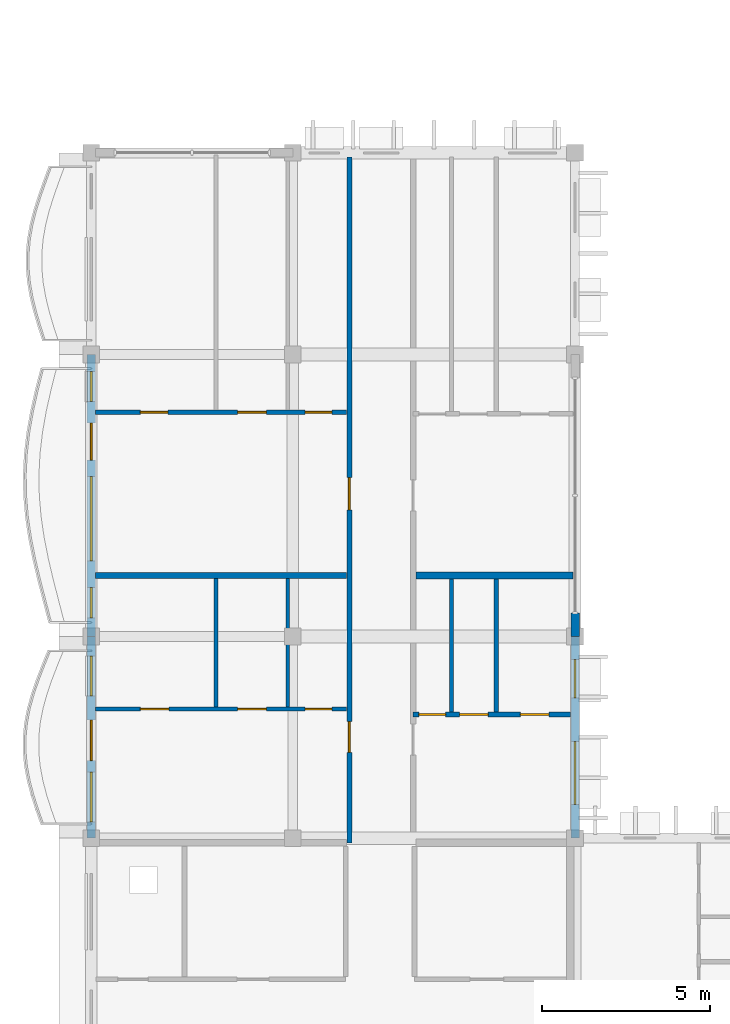
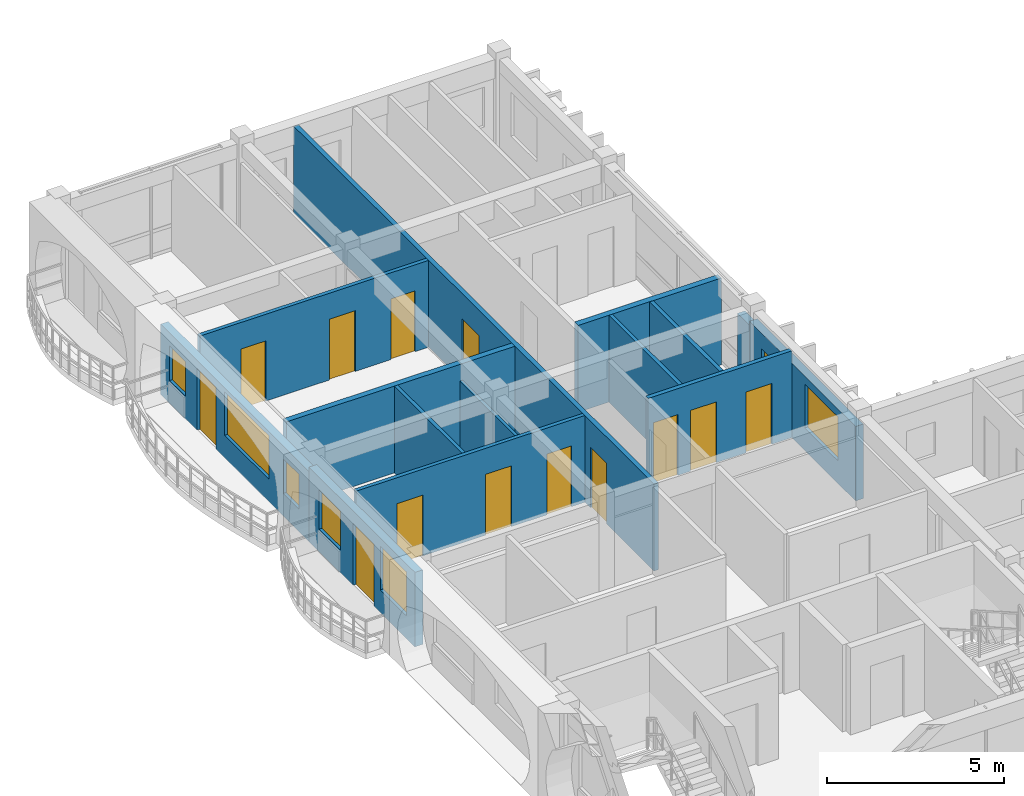
# One storey, part 22 of 54: 14 walls, 13 doors, 7 windows, 20 openings.
"""IFC4 building model written with IfcOpenShell, lengths in metres."""

from ifc_helpers import new_model, si_unit, direction, frame, frame_2d, origin, place, context, subcontext, project, spatial, rectangle, extrude, material, layer, layer_set, type_object, element, fill, save


model = new_model("IFC4")

# Units and contexts
model_context = context("Model", 3, precision=1e-05, world=origin(), true_north=direction((0.0, 1.0)))
body_context = subcontext(model_context, "Body", "Model", "MODEL_VIEW")
ifc_project = project(units=[si_unit("LENGTHUNIT", "METRE"), si_unit("AREAUNIT", "SQUARE_METRE"), si_unit("VOLUMEUNIT", "CUBIC_METRE"), si_unit("PLANEANGLEUNIT", "RADIAN"), si_unit("MASSUNIT", "GRAM", prefix="KILO"), si_unit("THERMODYNAMICTEMPERATUREUNIT", "KELVIN")], contexts=[model_context])

# Site, building, storey
site_placement = place(None, origin())
site = spatial("IfcSite", under=ifc_project, at=site_placement, CompositionType="ELEMENT")
building_placement = place(site_placement, origin())
building = spatial("IfcBuilding", under=site, at=building_placement, Name="Thalorik Housing Commons", CompositionType="ELEMENT")
storey_placement = place(building_placement, frame((0.0, 0.0, 31.199951171875)))
storey = spatial("IfcBuildingStorey", under=building, at=storey_placement, Name="L09", CompositionType="ELEMENT", Elevation=31.199951171875)

# Wall, openings, doors
ifc_material_1 = material(Name="Masonry fire-rated corridor wall", Category="masonry")
ifc_layer_1 = layer(ifc_material_1, 0.14990234375, Name="Masonry fire-rated corridor wall", Category="masonry")
ifc_layer_set_1 = layer_set([ifc_layer_1], Name="Masonry fire-rated corridor wall")
wall_type_1 = type_object("IfcWallType", Name="ARC-WAL-CORR-150", PredefinedType="PARTITIONING", material=ifc_layer_set_1)
wall_1_placement = place(storey_placement, frame((16.080078125, 22.659912109375, 0.0), z_axis=(0.0, 0.0, 1.0), x_axis=(0.0, 1.0, 0.0)))
wall_1 = element("IfcWall", 1, at=wall_1_placement, inside=storey, type_object=wall_type_1, Name="L09 Block C W Corridor Wall 1", PredefinedType="PARTITIONING", context=body_context, shape_type="SweptSolid", body=[
    extrude(rectangle(XDim=20.41064453125, YDim=0.14990234375, at=frame_2d((10.205322265625, 0.0))), origin(), (0.0, 0.0, 1.0), 3.0),
])
opening_1_placement = place(wall_1_placement, frame((2.69140625, 0.0, 0.0)))
opening_1 = element("IfcOpeningElement", 2, at=opening_1_placement, cuts=wall_1, Name="Opening ID-1934", PredefinedType="OPENING", context=body_context, shape_type="SweptSolid", body=[
    extrude(rectangle(XDim=0.919921875, YDim=2.10009765625, at=frame_2d((0.4599609375, 1.050048828125))), frame((0.0, 0.0849609375, 0.0), z_axis=(0.0, -1.0, 0.0), x_axis=(1.0, 0.0, 0.0)), (0.0, 0.0, 1.0), 0.169921875),
])
opening_2_placement = place(wall_1_placement, frame((9.909912109375, 0.0, 0.0)))
opening_2 = element("IfcOpeningElement", 3, at=opening_2_placement, cuts=wall_1, Name="Opening ID-1935", PredefinedType="OPENING", context=body_context, shape_type="SweptSolid", body=[
    extrude(rectangle(XDim=0.9599609375, YDim=2.1201171875, at=frame_2d((0.47998046875, 1.06005859375))), frame((0.0, 0.0849609375, 0.0), z_axis=(0.0, -1.0, 0.0), x_axis=(1.0, 0.0, 0.0)), (0.0, 0.0, 1.0), 0.169921875),
])
ifc_material_2 = material(Name="Solid core hardwood timber", Category="wood")
door_type_1 = type_object("IfcDoorType", Name="ARC-DR-FD30-920", OperationType="NOTDEFINED", PredefinedType="DOOR", material=ifc_material_2)
door_1_placement = place(opening_1_placement, origin())
door_1 = element("IfcDoor", 4, at=door_1_placement, inside=storey, type_object=door_type_1, Name="L09 Flat CW-1A Entrance Door", OperationType="SINGLE_SWING_LEFT", OverallHeight=2.10009765625, OverallWidth=0.919921875, PredefinedType="DOOR", context=body_context, shape_type="SweptSolid", body=[
    extrude(rectangle(XDim=0.919921875, YDim=2.10009765625, at=frame_2d((0.4599609375, 1.050048828125))), frame((0.0, 0.02490234375, 0.0), z_axis=(0.0, -1.0, 0.0), x_axis=(1.0, 0.0, 0.0)), (0.0, 0.0, 1.0), 0.050048828125),
])
fill(opening_1, door_1)
door_type_2 = type_object("IfcDoorType", Name="ARC-DR-FD30-960", OperationType="NOTDEFINED", PredefinedType="DOOR", material=ifc_material_2)
door_2_placement = place(opening_2_placement, origin())
door_2 = element("IfcDoor", 5, at=door_2_placement, inside=storey, type_object=door_type_2, Name="L09 Flat CW-2A Entrance Door", OperationType="SINGLE_SWING_RIGHT", OverallHeight=2.1201171875, OverallWidth=0.9599609375, PredefinedType="DOOR", context=body_context, shape_type="SweptSolid", body=[
    extrude(rectangle(XDim=0.9599609375, YDim=2.1201171875, at=frame_2d((0.47998046875, 1.06005859375))), frame((0.0, 0.02490234375, 0.0), z_axis=(0.0, -1.0, 0.0), x_axis=(1.0, 0.0, 0.0)), (0.0, 0.0, 1.0), 0.050048828125),
])
fill(opening_2, door_2)

# Wall, openings, windows
ifc_material_3 = material(Name="White precast concrete C40/50", Category="concrete")
ifc_layer_2 = layer(ifc_material_3, 0.2548828125, Name="White precast concrete C40/50", Category="concrete")
ifc_layer_set_2 = layer_set([ifc_layer_2], Name="White precast concrete C40/50")
wall_type_2 = type_object("IfcWallType", Name="ARC-WAL-EXT-255", PredefinedType="STANDARD", material=ifc_layer_set_2)
wall_2_placement = place(storey_placement, frame((22.800048828125, 22.800048828125, 0.0), z_axis=(0.0, 0.0, 1.0), x_axis=(0.0, 1.0, 0.0)))
wall_2 = element("IfcWall", 6, at=wall_2_placement, inside=storey, type_object=wall_type_2, Name="L09 Exterior Wall WAL-EXT-L09-C-1065", PredefinedType="STANDARD", context=body_context, shape_type="SweptSolid", body=[
    extrude(rectangle(XDim=6.0, YDim=0.2548828125, at=frame_2d((3.0, 0.0))), origin(), (0.0, 0.0, 1.0), 2.574951171875),
])
opening_3_placement = place(wall_2_placement, frame((0.995361328125, 0.0, 0.780029296875)))
opening_3 = element("IfcOpeningElement", 7, at=opening_3_placement, cuts=wall_2, Name="Opening W-59", PredefinedType="OPENING", context=body_context, shape_type="SweptSolid", body=[
    extrude(rectangle(XDim=1.8798828125, YDim=1.52001953125, at=frame_2d((0.93994140625, 0.760009765625))), frame((0.0, 0.137451171875, 0.0), z_axis=(0.0, -1.0, 0.0), x_axis=(1.0, 0.0, 0.0)), (0.0, 0.0, 1.0), 0.27490234375),
])
opening_4_placement = place(wall_2_placement, frame((4.17041015625, 0.0, 0.780029296875)))
opening_4 = element("IfcOpeningElement", 8, at=opening_4_placement, cuts=wall_2, Name="Opening W-45", PredefinedType="OPENING", context=body_context, shape_type="SweptSolid", body=[
    extrude(rectangle(XDim=1.14990234375, YDim=1.25, at=frame_2d((0.574951171875, 0.625))), frame((0.0, 0.137451171875, 0.0), z_axis=(0.0, -1.0, 0.0), x_axis=(1.0, 0.0, 0.0)), (0.0, 0.0, 1.0), 0.27490234375),
])
ifc_material_4 = material(Name="Anodised aluminium and solar-control low-E glass", Category="aluminium")
window_type_1 = type_object("IfcWindowType", Name="ARC-WIN-45", PartitioningType="SINGLE_PANEL", PredefinedType="WINDOW", material=ifc_material_4)
window_1_placement = place(opening_4_placement, origin())
window_1 = element("IfcWindow", 9, at=window_1_placement, inside=storey, type_object=window_type_1, Name="L09 Facade Window 1969", OverallHeight=1.25, OverallWidth=1.14990234375, PartitioningType="SINGLE_PANEL", PredefinedType="WINDOW", context=body_context, shape_type="SweptSolid", body=[
    extrude(rectangle(XDim=1.14990234375, YDim=1.25, at=frame_2d((0.574951171875, 0.625))), frame((0.0, 0.030029296875, 0.0), z_axis=(0.0, -1.0, 0.0), x_axis=(1.0, 0.0, 0.0)), (0.0, 0.0, 1.0), 0.06005859375),
])
fill(opening_4, window_1)
window_type_2 = type_object("IfcWindowType", Name="ARC-WIN-59", PartitioningType="DOUBLE_PANEL_VERTICAL", PredefinedType="WINDOW", material=ifc_material_4)
window_2_placement = place(opening_3_placement, origin())
window_2 = element("IfcWindow", 10, at=window_2_placement, inside=storey, type_object=window_type_2, Name="L09 Facade Window 1968", OverallHeight=1.52001953125, OverallWidth=1.8798828125, PartitioningType="DOUBLE_PANEL_VERTICAL", PredefinedType="WINDOW", context=body_context, shape_type="SweptSolid", body=[
    extrude(rectangle(XDim=1.8798828125, YDim=1.52001953125, at=frame_2d((0.93994140625, 0.760009765625))), frame((0.0, 0.030029296875, 0.0), z_axis=(0.0, -1.0, 0.0), x_axis=(1.0, 0.0, 0.0)), (0.0, 0.0, 1.0), 0.06005859375),
])
fill(opening_3, window_2)

# Wall
wall_3_placement = place(storey_placement, frame((22.800048828125, 28.800048828125, 0.0), z_axis=(0.0, 0.0, 1.0), x_axis=(0.0, 1.0, 0.0)))
element("IfcWall", 11, at=wall_3_placement, inside=storey, type_object=wall_type_2, Name="L09 Exterior Wall WAL-PIERL-L09-C-1066", PredefinedType="STANDARD", context=body_context, shape_type="SweptSolid", body=[
    extrude(rectangle(XDim=0.699951171875, YDim=0.2548828125, at=frame_2d((0.35009765625, 0.0))), origin(), (0.0, 0.0, 1.0), 2.425048828125),
])

# Wall, openings, door, windows
wall_4_placement = place(storey_placement, frame((8.39990234375, 37.199951171875, 0.0), z_axis=(0.0, 0.0, 1.0), x_axis=(0.0, -1.0, 0.0)))
wall_4 = element("IfcWall", 12, at=wall_4_placement, inside=storey, type_object=wall_type_2, Name="L09 Exterior Wall WAL-EXT-L09-C-1071", PredefinedType="STANDARD", context=body_context, shape_type="SweptSolid", body=[
    extrude(rectangle(XDim=8.39990234375, YDim=0.2548828125, at=frame_2d((4.199951171875, 0.0))), origin(), (0.0, 0.0, 1.0), 2.425048828125),
])
opening_5_placement = place(wall_4_placement, frame((2.050048828125, 0.0, 0.0)))
opening_5 = element("IfcOpeningElement", 13, at=opening_5_placement, cuts=wall_4, Name="Opening ED-0359", PredefinedType="OPENING", context=body_context, shape_type="SweptSolid", body=[
    extrude(rectangle(XDim=1.10009765625, YDim=2.14990234375, at=frame_2d((0.550048828125, 1.074951171875))), frame((0.0, 0.137451171875, 0.0), z_axis=(0.0, -1.0, 0.0), x_axis=(1.0, 0.0, 0.0)), (0.0, 0.0, 1.0), 0.27490234375),
])
opening_6_placement = place(wall_4_placement, frame((0.5048828125, 0.0, 0.780029296875)))
opening_6 = element("IfcOpeningElement", 14, at=opening_6_placement, cuts=wall_4, Name="Opening W-01", PredefinedType="OPENING", context=body_context, shape_type="SweptSolid", body=[
    extrude(rectangle(XDim=0.89990234375, YDim=1.199951171875, at=frame_2d((0.449951171875, 0.60009765625))), frame((0.0, 0.137451171875, 0.0), z_axis=(0.0, -1.0, 0.0), x_axis=(1.0, 0.0, 0.0)), (0.0, 0.0, 1.0), 0.27490234375),
])
opening_7_placement = place(wall_4_placement, frame((3.6298828125, 0.0, 0.780029296875)))
opening_7 = element("IfcOpeningElement", 15, at=opening_7_placement, cuts=wall_4, Name="Opening W-72", PredefinedType="OPENING", context=body_context, shape_type="SweptSolid", body=[
    extrude(rectangle(XDim=2.52001953125, YDim=1.5, at=frame_2d((1.260009765625, 0.75))), frame((0.0, 0.137451171875, 0.0), z_axis=(0.0, -1.0, 0.0), x_axis=(1.0, 0.0, 0.0)), (0.0, 0.0, 1.0), 0.27490234375),
])
opening_8_placement = place(wall_4_placement, frame((6.945068359375, 0.0, 0.780029296875)))
opening_8 = element("IfcOpeningElement", 16, at=opening_8_placement, cuts=wall_4, Name="Opening W-01", PredefinedType="OPENING", context=body_context, shape_type="SweptSolid", body=[
    extrude(rectangle(XDim=0.89990234375, YDim=1.199951171875, at=frame_2d((0.449951171875, 0.60009765625))), frame((0.0, 0.137451171875, 0.0), z_axis=(0.0, -1.0, 0.0), x_axis=(1.0, 0.0, 0.0)), (0.0, 0.0, 1.0), 0.27490234375),
])
ifc_material_5 = material(Name="Anodised aluminium and laminated safety glass", Category="aluminium")
door_type_3 = type_object("IfcDoorType", Name="ARC-DR-BAL-1100", OperationType="NOTDEFINED", PredefinedType="DOOR", material=ifc_material_5)
door_3_placement = place(opening_5_placement, frame((1.10009765625, 0.0, 0.0), z_axis=(0.0, 0.0, 1.0), x_axis=(-1.0, 0.0, 0.0)))
door_3 = element("IfcDoor", 17, at=door_3_placement, inside=storey, type_object=door_type_3, Name="L09 Block C Balcony Glazed Door", OperationType="SINGLE_SWING_RIGHT", OverallHeight=2.14990234375, OverallWidth=1.10009765625, PredefinedType="DOOR", context=body_context, shape_type="SweptSolid", body=[
    extrude(rectangle(XDim=1.10009765625, YDim=2.14990234375, at=frame_2d((0.550048828125, 1.074951171875))), frame((0.0, 0.02490234375, 0.0), z_axis=(0.0, -1.0, 0.0), x_axis=(1.0, 0.0, 0.0)), (0.0, 0.0, 1.0), 0.050048828125),
])
fill(opening_5, door_3)
window_type_3 = type_object("IfcWindowType", Name="ARC-WIN-01", PartitioningType="SINGLE_PANEL", PredefinedType="WINDOW", material=ifc_material_4)
window_3_placement = place(opening_6_placement, origin())
window_3 = element("IfcWindow", 18, at=window_3_placement, inside=storey, type_object=window_type_3, Name="L09 Facade Window 1976", OverallHeight=1.199951171875, OverallWidth=0.89990234375, PartitioningType="SINGLE_PANEL", PredefinedType="WINDOW", context=body_context, shape_type="SweptSolid", body=[
    extrude(rectangle(XDim=0.89990234375, YDim=1.199951171875, at=frame_2d((0.449951171875, 0.60009765625))), frame((0.0, 0.030029296875, 0.0), z_axis=(0.0, -1.0, 0.0), x_axis=(1.0, 0.0, 0.0)), (0.0, 0.0, 1.0), 0.06005859375),
])
fill(opening_6, window_3)
window_4_placement = place(opening_8_placement, origin())
window_4 = element("IfcWindow", 19, at=window_4_placement, inside=storey, type_object=window_type_3, Name="L09 Facade Window 1978", OverallHeight=1.199951171875, OverallWidth=0.89990234375, PartitioningType="SINGLE_PANEL", PredefinedType="WINDOW", context=body_context, shape_type="SweptSolid", body=[
    extrude(rectangle(XDim=0.89990234375, YDim=1.199951171875, at=frame_2d((0.449951171875, 0.60009765625))), frame((0.0, 0.030029296875, 0.0), z_axis=(0.0, -1.0, 0.0), x_axis=(1.0, 0.0, 0.0)), (0.0, 0.0, 1.0), 0.06005859375),
])
fill(opening_8, window_4)
window_type_4 = type_object("IfcWindowType", Name="ARC-WIN-72", PartitioningType="DOUBLE_PANEL_VERTICAL", PredefinedType="WINDOW", material=ifc_material_4)
window_5_placement = place(opening_7_placement, origin())
window_5 = element("IfcWindow", 20, at=window_5_placement, inside=storey, type_object=window_type_4, Name="L09 Facade Window 1977", OverallHeight=1.5, OverallWidth=2.52001953125, PartitioningType="DOUBLE_PANEL_VERTICAL", PredefinedType="WINDOW", context=body_context, shape_type="SweptSolid", body=[
    extrude(rectangle(XDim=2.52001953125, YDim=1.5, at=frame_2d((1.260009765625, 0.75))), frame((0.0, 0.030029296875, 0.0), z_axis=(0.0, -1.0, 0.0), x_axis=(1.0, 0.0, 0.0)), (0.0, 0.0, 1.0), 0.06005859375),
])
fill(opening_7, window_5)

wall_5_placement = place(storey_placement, frame((8.39990234375, 28.800048828125, 0.0), z_axis=(0.0, 0.0, 1.0), x_axis=(0.0, -1.0, 0.0)))
wall_5 = element("IfcWall", 21, at=wall_5_placement, inside=storey, type_object=wall_type_2, Name="L09 Exterior Wall WAL-EXT-L09-C-1072", PredefinedType="STANDARD", context=body_context, shape_type="SweptSolid", body=[
    extrude(rectangle(XDim=6.0, YDim=0.2548828125, at=frame_2d((3.0, 0.0))), origin(), (0.0, 0.0, 1.0), 2.574951171875),
])
opening_9_placement = place(wall_5_placement, frame((2.489990234375, 0.0, 0.0)))
opening_9 = element("IfcOpeningElement", 22, at=opening_9_placement, cuts=wall_5, Name="Opening ED-0360", PredefinedType="OPENING", context=body_context, shape_type="SweptSolid", body=[
    extrude(rectangle(XDim=1.199951171875, YDim=2.14990234375, at=frame_2d((0.60009765625, 1.074951171875))), frame((0.0, 0.137451171875, 0.0), z_axis=(0.0, -1.0, 0.0), x_axis=(1.0, 0.0, 0.0)), (0.0, 0.0, 1.0), 0.27490234375),
])
opening_10_placement = place(wall_5_placement, frame((0.574951171875, 0.0, 0.780029296875)))
opening_10 = element("IfcOpeningElement", 23, at=opening_10_placement, cuts=wall_5, Name="Opening W-04", PredefinedType="OPENING", context=body_context, shape_type="SweptSolid", body=[
    extrude(rectangle(XDim=1.199951171875, YDim=1.35009765625, at=frame_2d((0.60009765625, 0.675048828125))), frame((0.0, 0.137451171875, 0.0), z_axis=(0.0, -1.0, 0.0), x_axis=(1.0, 0.0, 0.0)), (0.0, 0.0, 1.0), 0.27490234375),
])
opening_11_placement = place(wall_5_placement, frame((4.034912109375, 0.0, 0.780029296875)))
opening_11 = element("IfcOpeningElement", 24, at=opening_11_placement, cuts=wall_5, Name="Opening W-51", PredefinedType="OPENING", context=body_context, shape_type="SweptSolid", body=[
    extrude(rectangle(XDim=1.47998046875, YDim=1.52001953125, at=frame_2d((0.739990234375, 0.760009765625))), frame((0.0, 0.137451171875, 0.0), z_axis=(0.0, -1.0, 0.0), x_axis=(1.0, 0.0, 0.0)), (0.0, 0.0, 1.0), 0.27490234375),
])
door_type_4 = type_object("IfcDoorType", Name="ARC-DR-BAL-1200", OperationType="NOTDEFINED", PredefinedType="DOOR", material=ifc_material_5)
door_4_placement = place(opening_9_placement, frame((1.199951171875, 0.0, 0.0), z_axis=(0.0, 0.0, 1.0), x_axis=(-1.0, 0.0, 0.0)))
door_4 = element("IfcDoor", 25, at=door_4_placement, inside=storey, type_object=door_type_4, Name="L09 Block C Balcony Glazed Door", OperationType="SINGLE_SWING_LEFT", OverallHeight=2.14990234375, OverallWidth=1.199951171875, PredefinedType="DOOR", context=body_context, shape_type="SweptSolid", body=[
    extrude(rectangle(XDim=1.199951171875, YDim=2.14990234375, at=frame_2d((0.60009765625, 1.074951171875))), frame((0.0, 0.02490234375, 0.0), z_axis=(0.0, -1.0, 0.0), x_axis=(1.0, 0.0, 0.0)), (0.0, 0.0, 1.0), 0.050048828125),
])
fill(opening_9, door_4)
window_type_5 = type_object("IfcWindowType", Name="ARC-WIN-04", PartitioningType="SINGLE_PANEL", PredefinedType="WINDOW", material=ifc_material_4)
window_6_placement = place(opening_10_placement, origin())
window_6 = element("IfcWindow", 26, at=window_6_placement, inside=storey, type_object=window_type_5, Name="L09 Facade Window 1979", OverallHeight=1.35009765625, OverallWidth=1.199951171875, PartitioningType="SINGLE_PANEL", PredefinedType="WINDOW", context=body_context, shape_type="SweptSolid", body=[
    extrude(rectangle(XDim=1.199951171875, YDim=1.35009765625, at=frame_2d((0.60009765625, 0.675048828125))), frame((0.0, 0.030029296875, 0.0), z_axis=(0.0, -1.0, 0.0), x_axis=(1.0, 0.0, 0.0)), (0.0, 0.0, 1.0), 0.06005859375),
])
fill(opening_10, window_6)
window_type_6 = type_object("IfcWindowType", Name="ARC-WIN-51", PartitioningType="SINGLE_PANEL", PredefinedType="WINDOW", material=ifc_material_4)
window_7_placement = place(opening_11_placement, origin())
window_7 = element("IfcWindow", 27, at=window_7_placement, inside=storey, type_object=window_type_6, Name="L09 Facade Window 1980", OverallHeight=1.52001953125, OverallWidth=1.47998046875, PartitioningType="SINGLE_PANEL", PredefinedType="WINDOW", context=body_context, shape_type="SweptSolid", body=[
    extrude(rectangle(XDim=1.47998046875, YDim=1.52001953125, at=frame_2d((0.739990234375, 0.760009765625))), frame((0.0, 0.030029296875, 0.0), z_axis=(0.0, -1.0, 0.0), x_axis=(1.0, 0.0, 0.0)), (0.0, 0.0, 1.0), 0.06005859375),
])
fill(opening_11, window_7)

# Walls
ifc_material_6 = material(Name="Gypsum light stud partition", Category="masonry")
ifc_layer_3 = layer(ifc_material_6, 0.10009765625, Name="Gypsum light stud partition", Category="masonry")
ifc_layer_set_3 = layer_set([ifc_layer_3], Name="Gypsum light stud partition")
wall_type_3 = type_object("IfcWallType", Name="ARC-WAL-PART-100", PredefinedType="PARTITIONING", material=ifc_layer_set_3)
wall_6_placement = place(storey_placement, frame((14.251220703125, 26.70458984375, 0.0), z_axis=(0.0, 0.0, 1.0), x_axis=(0.0, 1.0, 0.0)))
element("IfcWall", 28, at=wall_6_placement, inside=storey, type_object=wall_type_3, Name="L09 Unit 1 Wet Wall", PredefinedType="PARTITIONING", context=body_context, shape_type="SweptSolid", body=[
    extrude(rectangle(XDim=3.82080078125, YDim=0.10009765625, at=frame_2d((1.910400390625, 0.0))), origin(), (0.0, 0.0, 1.0), 2.425048828125),
])
ifc_material_7 = material(Name="Gypsum moisture-resistant partition", Category="masonry")
ifc_layer_4 = layer(ifc_material_7, 0.114990234375, Name="Gypsum moisture-resistant partition", Category="masonry")
ifc_layer_set_4 = layer_set([ifc_layer_4], Name="Gypsum moisture-resistant partition")
wall_type_4 = type_object("IfcWallType", Name="ARC-WAL-PART-115", PredefinedType="PARTITIONING", material=ifc_layer_set_4)
wall_7_placement = place(storey_placement, frame((12.11767578125, 26.70458984375, 0.0), z_axis=(0.0, 0.0, 1.0), x_axis=(0.0, 1.0, 0.0)))
element("IfcWall", 29, at=wall_7_placement, inside=storey, type_object=wall_type_4, Name="L09 Unit 1 Bedroom Partition", PredefinedType="PARTITIONING", context=body_context, shape_type="SweptSolid", body=[
    extrude(rectangle(XDim=3.82080078125, YDim=0.114990234375, at=frame_2d((1.910400390625, 0.0))), origin(), (0.0, 0.0, 1.0), 3.0),
])
wall_8_placement = place(storey_placement, frame((19.122314453125, 26.552734375, 0.0), z_axis=(0.0, 0.0, 1.0), x_axis=(0.0, 1.0, 0.0)))
element("IfcWall", 30, at=wall_8_placement, inside=storey, type_object=wall_type_4, Name="L09 Unit 1B Wet Wall", PredefinedType="PARTITIONING", context=body_context, shape_type="SweptSolid", body=[
    extrude(rectangle(XDim=3.96533203125, YDim=0.114990234375, at=frame_2d((1.982666015625, 0.0))), origin(), (0.0, 0.0, 1.0), 3.0),
])

# Wall, openings, doors
ifc_material_8 = material(Name="Gypsum acoustic stud partition", Category="masonry")
ifc_layer_5 = layer(ifc_material_8, 0.125, Name="Gypsum acoustic stud partition", Category="masonry")
ifc_layer_set_5 = layer_set([ifc_layer_5], Name="Gypsum acoustic stud partition")
wall_type_5 = type_object("IfcWallType", Name="ARC-WAL-PART-125", PredefinedType="PARTITIONING", material=ifc_layer_set_5)
wall_9_placement = place(storey_placement, frame((8.529541015625, 26.639892578125, 0.0), z_axis=(0.0, 0.0, 1.0), x_axis=(1.0, 0.0, 0.0)))
wall_9 = element("IfcWall", 31, at=wall_9_placement, inside=storey, type_object=wall_type_5, Name="L09 Unit 1 Spine Partition", PredefinedType="PARTITIONING", context=body_context, shape_type="SweptSolid", body=[
    extrude(rectangle(XDim=7.473388671875, YDim=0.125, at=frame_2d((3.73681640625, 0.0))), origin(), (0.0, 0.0, 1.0), 3.0),
])
opening_12_placement = place(wall_9_placement, frame((1.334228515625, 0.0, 0.0)))
opening_12 = element("IfcOpeningElement", 32, at=opening_12_placement, cuts=wall_9, Name="Opening ID-1922", PredefinedType="OPENING", context=body_context, shape_type="SweptSolid", body=[
    extrude(rectangle(XDim=0.85009765625, YDim=2.10009765625, at=frame_2d((0.425048828125, 1.050048828125))), frame((0.0, 0.072509765625, 0.0), z_axis=(0.0, -1.0, 0.0), x_axis=(1.0, 0.0, 0.0)), (0.0, 0.0, 1.0), 0.14501953125),
])
opening_13_placement = place(wall_9_placement, frame((4.22998046875, 0.0, 0.0)))
opening_13 = element("IfcOpeningElement", 33, at=opening_13_placement, cuts=wall_9, Name="Opening ID-1923", PredefinedType="OPENING", context=body_context, shape_type="SweptSolid", body=[
    extrude(rectangle(XDim=0.85009765625, YDim=2.10009765625, at=frame_2d((0.425048828125, 1.050048828125))), frame((0.0, 0.072509765625, 0.0), z_axis=(0.0, -1.0, 0.0), x_axis=(1.0, 0.0, 0.0)), (0.0, 0.0, 1.0), 0.14501953125),
])
opening_14_placement = place(wall_9_placement, frame((6.236083984375, 0.0, 0.0)))
opening_14 = element("IfcOpeningElement", 34, at=opening_14_placement, cuts=wall_9, Name="Opening ID-1924", PredefinedType="OPENING", context=body_context, shape_type="SweptSolid", body=[
    extrude(rectangle(XDim=0.800048828125, YDim=2.10009765625, at=frame_2d((0.39990234375, 1.050048828125))), frame((0.0, 0.072509765625, 0.0), z_axis=(0.0, -1.0, 0.0), x_axis=(1.0, 0.0, 0.0)), (0.0, 0.0, 1.0), 0.14501953125),
])
ifc_material_9 = material(Name="Moisture-resistant timber", Category="wood")
door_type_5 = type_object("IfcDoorType", Name="ARC-DR-INT-800", OperationType="NOTDEFINED", PredefinedType="DOOR", material=ifc_material_9)
door_5_placement = place(opening_14_placement, origin())
door_5 = element("IfcDoor", 35, at=door_5_placement, inside=storey, type_object=door_type_5, Name="L09 Accessible Bathroom Door", OperationType="SINGLE_SWING_LEFT", OverallHeight=2.10009765625, OverallWidth=0.800048828125, PredefinedType="DOOR", context=body_context, shape_type="SweptSolid", body=[
    extrude(rectangle(XDim=0.800048828125, YDim=2.10009765625, at=frame_2d((0.39990234375, 1.050048828125))), frame((0.0, 0.02490234375, 0.0), z_axis=(0.0, -1.0, 0.0), x_axis=(1.0, 0.0, 0.0)), (0.0, 0.0, 1.0), 0.050048828125),
])
fill(opening_14, door_5)
ifc_material_10 = material(Name="Engineered oak timber", Category="wood")
door_type_6 = type_object("IfcDoorType", Name="ARC-DR-INT-850", OperationType="NOTDEFINED", PredefinedType="DOOR", material=ifc_material_10)
door_6_placement = place(opening_12_placement, origin())
door_6 = element("IfcDoor", 36, at=door_6_placement, inside=storey, type_object=door_type_6, Name="L09 Master Bedroom Door", OperationType="SINGLE_SWING_LEFT", OverallHeight=2.10009765625, OverallWidth=0.85009765625, PredefinedType="DOOR", context=body_context, shape_type="SweptSolid", body=[
    extrude(rectangle(XDim=0.85009765625, YDim=2.10009765625, at=frame_2d((0.425048828125, 1.050048828125))), frame((0.0, 0.02490234375, 0.0), z_axis=(0.0, -1.0, 0.0), x_axis=(1.0, 0.0, 0.0)), (0.0, 0.0, 1.0), 0.050048828125),
])
fill(opening_12, door_6)
door_7_placement = place(opening_13_placement, origin())
door_7 = element("IfcDoor", 37, at=door_7_placement, inside=storey, type_object=door_type_6, Name="L09 Eat-In Kitchen Door", OperationType="SINGLE_SWING_RIGHT", OverallHeight=2.10009765625, OverallWidth=0.85009765625, PredefinedType="DOOR", context=body_context, shape_type="SweptSolid", body=[
    extrude(rectangle(XDim=0.85009765625, YDim=2.10009765625, at=frame_2d((0.425048828125, 1.050048828125))), frame((0.0, 0.02490234375, 0.0), z_axis=(0.0, -1.0, 0.0), x_axis=(1.0, 0.0, 0.0)), (0.0, 0.0, 1.0), 0.050048828125),
])
fill(opening_13, door_7)

# Wall
wall_10_placement = place(storey_placement, frame((20.455078125, 26.552734375, 0.0), z_axis=(0.0, 0.0, 1.0), x_axis=(0.0, 1.0, 0.0)))
element("IfcWall", 38, at=wall_10_placement, inside=storey, type_object=wall_type_5, Name="L09 Unit 1B Bedroom Partition", PredefinedType="PARTITIONING", context=body_context, shape_type="SweptSolid", body=[
    extrude(rectangle(XDim=3.96533203125, YDim=0.125, at=frame_2d((1.982666015625, 0.0))), origin(), (0.0, 0.0, 1.0), 3.0),
])

# Wall, openings, doors
wall_11_placement = place(storey_placement, frame((8.529541015625, 35.47998046875, 0.0), z_axis=(0.0, 0.0, 1.0), x_axis=(1.0, 0.0, 0.0)))
wall_11 = element("IfcWall", 39, at=wall_11_placement, inside=storey, type_object=wall_type_5, Name="L09 Unit 2 Spine Partition", PredefinedType="PARTITIONING", context=body_context, shape_type="SweptSolid", body=[
    extrude(rectangle(XDim=7.473388671875, YDim=0.125, at=frame_2d((3.73681640625, 0.0))), origin(), (0.0, 0.0, 1.0), 3.0),
])
opening_15_placement = place(wall_11_placement, frame((1.334228515625, 0.0, 0.0)))
opening_15 = element("IfcOpeningElement", 40, at=opening_15_placement, cuts=wall_11, Name="Opening ID-1928", PredefinedType="OPENING", context=body_context, shape_type="SweptSolid", body=[
    extrude(rectangle(XDim=0.820068359375, YDim=2.080078125, at=frame_2d((0.41015625, 1.0400390625))), frame((0.0, 0.072509765625, 0.0), z_axis=(0.0, -1.0, 0.0), x_axis=(1.0, 0.0, 0.0)), (0.0, 0.0, 1.0), 0.14501953125),
])
opening_16_placement = place(wall_11_placement, frame((4.22998046875, 0.0, 0.0)))
opening_16 = element("IfcOpeningElement", 41, at=opening_16_placement, cuts=wall_11, Name="Opening ID-1929", PredefinedType="OPENING", context=body_context, shape_type="SweptSolid", body=[
    extrude(rectangle(XDim=0.85009765625, YDim=2.10009765625, at=frame_2d((0.425048828125, 1.050048828125))), frame((0.0, 0.072509765625, 0.0), z_axis=(0.0, -1.0, 0.0), x_axis=(1.0, 0.0, 0.0)), (0.0, 0.0, 1.0), 0.14501953125),
])
opening_17_placement = place(wall_11_placement, frame((6.236083984375, 0.0, 0.0)))
opening_17 = element("IfcOpeningElement", 42, at=opening_17_placement, cuts=wall_11, Name="Opening ID-1930", PredefinedType="OPENING", context=body_context, shape_type="SweptSolid", body=[
    extrude(rectangle(XDim=0.800048828125, YDim=2.10009765625, at=frame_2d((0.39990234375, 1.050048828125))), frame((0.0, 0.072509765625, 0.0), z_axis=(0.0, -1.0, 0.0), x_axis=(1.0, 0.0, 0.0)), (0.0, 0.0, 1.0), 0.14501953125),
])
door_8_placement = place(opening_17_placement, origin())
door_8 = element("IfcDoor", 43, at=door_8_placement, inside=storey, type_object=door_type_5, Name="L09 Flat Bathroom Door", OperationType="SINGLE_SWING_LEFT", OverallHeight=2.10009765625, OverallWidth=0.800048828125, PredefinedType="DOOR", context=body_context, shape_type="SweptSolid", body=[
    extrude(rectangle(XDim=0.800048828125, YDim=2.10009765625, at=frame_2d((0.39990234375, 1.050048828125))), frame((0.0, 0.02490234375, 0.0), z_axis=(0.0, -1.0, 0.0), x_axis=(1.0, 0.0, 0.0)), (0.0, 0.0, 1.0), 0.050048828125),
])
fill(opening_17, door_8)
door_type_7 = type_object("IfcDoorType", Name="ARC-DR-INT-820", OperationType="NOTDEFINED", PredefinedType="DOOR", material=ifc_material_10)
door_9_placement = place(opening_15_placement, origin())
door_9 = element("IfcDoor", 44, at=door_9_placement, inside=storey, type_object=door_type_7, Name="L09 Double Bedroom Door", OperationType="SINGLE_SWING_LEFT", OverallHeight=2.080078125, OverallWidth=0.820068359375, PredefinedType="DOOR", context=body_context, shape_type="SweptSolid", body=[
    extrude(rectangle(XDim=0.820068359375, YDim=2.080078125, at=frame_2d((0.41015625, 1.0400390625))), frame((0.0, 0.02490234375, 0.0), z_axis=(0.0, -1.0, 0.0), x_axis=(1.0, 0.0, 0.0)), (0.0, 0.0, 1.0), 0.050048828125),
])
fill(opening_15, door_9)
door_10_placement = place(opening_16_placement, origin())
door_10 = element("IfcDoor", 45, at=door_10_placement, inside=storey, type_object=door_type_6, Name="L09 Galley Kitchen Door", OperationType="SINGLE_SWING_RIGHT", OverallHeight=2.10009765625, OverallWidth=0.85009765625, PredefinedType="DOOR", context=body_context, shape_type="SweptSolid", body=[
    extrude(rectangle(XDim=0.85009765625, YDim=2.10009765625, at=frame_2d((0.425048828125, 1.050048828125))), frame((0.0, 0.02490234375, 0.0), z_axis=(0.0, -1.0, 0.0), x_axis=(1.0, 0.0, 0.0)), (0.0, 0.0, 1.0), 0.050048828125),
])
fill(opening_16, door_10)

ifc_material_11 = material(Name="Ceramic masonry partition wall", Category="masonry")
ifc_layer_6 = layer(ifc_material_11, 0.139892578125, Name="Ceramic masonry partition wall", Category="masonry")
ifc_layer_set_6 = layer_set([ifc_layer_6], Name="Ceramic masonry partition wall")
wall_type_6 = type_object("IfcWallType", Name="ARC-WAL-PART-140", PredefinedType="PARTITIONING", material=ifc_layer_set_6)
wall_12_placement = place(storey_placement, frame((17.97998046875, 26.480712890625, 0.0), z_axis=(0.0, 0.0, 1.0), x_axis=(1.0, 0.0, 0.0)))
wall_12 = element("IfcWall", 46, at=wall_12_placement, inside=storey, type_object=wall_type_6, Name="L09 Unit 1B Spine Partition", PredefinedType="PARTITIONING", context=body_context, shape_type="SweptSolid", body=[
    extrude(rectangle(XDim=4.6904296875, YDim=0.139892578125, at=frame_2d((2.34521484375, 0.0))), origin(), (0.0, 0.0, 1.0), 3.0),
])
opening_18_placement = place(wall_12_placement, frame((0.171142578125, 0.0, 0.0)))
opening_18 = element("IfcOpeningElement", 47, at=opening_18_placement, cuts=wall_12, Name="Opening ID-1925", PredefinedType="OPENING", context=body_context, shape_type="SweptSolid", body=[
    extrude(rectangle(XDim=0.800048828125, YDim=2.10009765625, at=frame_2d((0.39990234375, 1.050048828125))), frame((0.0, 0.080078125, 0.0), z_axis=(0.0, -1.0, 0.0), x_axis=(1.0, 0.0, 0.0)), (0.0, 0.0, 1.0), 0.159912109375),
])
opening_19_placement = place(wall_12_placement, frame((1.3837890625, 0.0, 0.0)))
opening_19 = element("IfcOpeningElement", 48, at=opening_19_placement, cuts=wall_12, Name="Opening ID-1926", PredefinedType="OPENING", context=body_context, shape_type="SweptSolid", body=[
    extrude(rectangle(XDim=0.85009765625, YDim=2.10009765625, at=frame_2d((0.425048828125, 1.050048828125))), frame((0.0, 0.080078125, 0.0), z_axis=(0.0, -1.0, 0.0), x_axis=(1.0, 0.0, 0.0)), (0.0, 0.0, 1.0), 0.159912109375),
])
opening_20_placement = place(wall_12_placement, frame((3.192626953125, 0.0, 0.0)))
opening_20 = element("IfcOpeningElement", 49, at=opening_20_placement, cuts=wall_12, Name="Opening ID-1927", PredefinedType="OPENING", context=body_context, shape_type="SweptSolid", body=[
    extrude(rectangle(XDim=0.85009765625, YDim=2.10009765625, at=frame_2d((0.425048828125, 1.050048828125))), frame((0.0, 0.080078125, 0.0), z_axis=(0.0, -1.0, 0.0), x_axis=(1.0, 0.0, 0.0)), (0.0, 0.0, 1.0), 0.159912109375),
])
door_11_placement = place(opening_18_placement, origin())
door_11 = element("IfcDoor", 50, at=door_11_placement, inside=storey, type_object=door_type_5, Name="L09 Accessible Bathroom Door", OperationType="SINGLE_SWING_RIGHT", OverallHeight=2.10009765625, OverallWidth=0.800048828125, PredefinedType="DOOR", context=body_context, shape_type="SweptSolid", body=[
    extrude(rectangle(XDim=0.800048828125, YDim=2.10009765625, at=frame_2d((0.39990234375, 1.050048828125))), frame((0.0, 0.02490234375, 0.0), z_axis=(0.0, -1.0, 0.0), x_axis=(1.0, 0.0, 0.0)), (0.0, 0.0, 1.0), 0.050048828125),
])
fill(opening_18, door_11)
door_12_placement = place(opening_19_placement, origin())
door_12 = element("IfcDoor", 51, at=door_12_placement, inside=storey, type_object=door_type_6, Name="L09 Eat-In Kitchen Door", OperationType="SINGLE_SWING_LEFT", OverallHeight=2.10009765625, OverallWidth=0.85009765625, PredefinedType="DOOR", context=body_context, shape_type="SweptSolid", body=[
    extrude(rectangle(XDim=0.85009765625, YDim=2.10009765625, at=frame_2d((0.425048828125, 1.050048828125))), frame((0.0, 0.02490234375, 0.0), z_axis=(0.0, -1.0, 0.0), x_axis=(1.0, 0.0, 0.0)), (0.0, 0.0, 1.0), 0.050048828125),
])
fill(opening_19, door_12)
door_13_placement = place(opening_20_placement, origin())
door_13 = element("IfcDoor", 52, at=door_13_placement, inside=storey, type_object=door_type_6, Name="L09 Double Bedroom Door", OperationType="SINGLE_SWING_RIGHT", OverallHeight=2.10009765625, OverallWidth=0.85009765625, PredefinedType="DOOR", context=body_context, shape_type="SweptSolid", body=[
    extrude(rectangle(XDim=0.85009765625, YDim=2.10009765625, at=frame_2d((0.425048828125, 1.050048828125))), frame((0.0, 0.02490234375, 0.0), z_axis=(0.0, -1.0, 0.0), x_axis=(1.0, 0.0, 0.0)), (0.0, 0.0, 1.0), 0.050048828125),
])
fill(opening_20, door_13)

# Walls
ifc_material_12 = material(Name="Masonry acoustic blockwork wall", Category="masonry")
ifc_layer_7 = layer(ifc_material_12, 0.18505859375, Name="Masonry acoustic blockwork wall", Category="masonry")
ifc_layer_set_7 = layer_set([ifc_layer_7], Name="Masonry acoustic blockwork wall")
wall_type_7 = type_object("IfcWallType", Name="ARC-WAL-PARTY-185", PredefinedType="PARTITIONING", material=ifc_layer_set_7)
wall_13_placement = place(storey_placement, frame((8.529541015625, 30.6201171875, 0.0), z_axis=(0.0, 0.0, 1.0), x_axis=(1.0, 0.0, 0.0)))
element("IfcWall", 53, at=wall_13_placement, inside=storey, type_object=wall_type_7, Name="L09 Inter-Tenancy Wall 1A", PredefinedType="PARTITIONING", context=body_context, shape_type="SweptSolid", body=[
    extrude(rectangle(XDim=7.473388671875, YDim=0.18505859375, at=frame_2d((3.73681640625, 0.0))), origin(), (0.0, 0.0, 1.0), 3.0),
])
ifc_material_13 = material(Name="Precast concrete C40/50 acoustic wall", Category="concrete")
ifc_layer_8 = layer(ifc_material_13, 0.199951171875, Name="Precast concrete C40/50 acoustic wall", Category="concrete")
ifc_layer_set_8 = layer_set([ifc_layer_8], Name="Precast concrete C40/50 acoustic wall")
wall_type_8 = type_object("IfcWallType", Name="ARC-WAL-PARTY-200", PredefinedType="PARTITIONING", material=ifc_layer_set_8)
wall_14_placement = place(storey_placement, frame((18.064453125, 30.6201171875, 0.0), z_axis=(0.0, 0.0, 1.0), x_axis=(1.0, 0.0, 0.0)))
element("IfcWall", 54, at=wall_14_placement, inside=storey, type_object=wall_type_8, Name="L09 Inter-Tenancy Wall 1B", PredefinedType="PARTITIONING", context=body_context, shape_type="SweptSolid", body=[
    extrude(rectangle(XDim=4.675537109375, YDim=0.199951171875, at=frame_2d((2.337890625, 0.0))), origin(), (0.0, 0.0, 1.0), 3.0),
])

save(model, "model.ifc")
